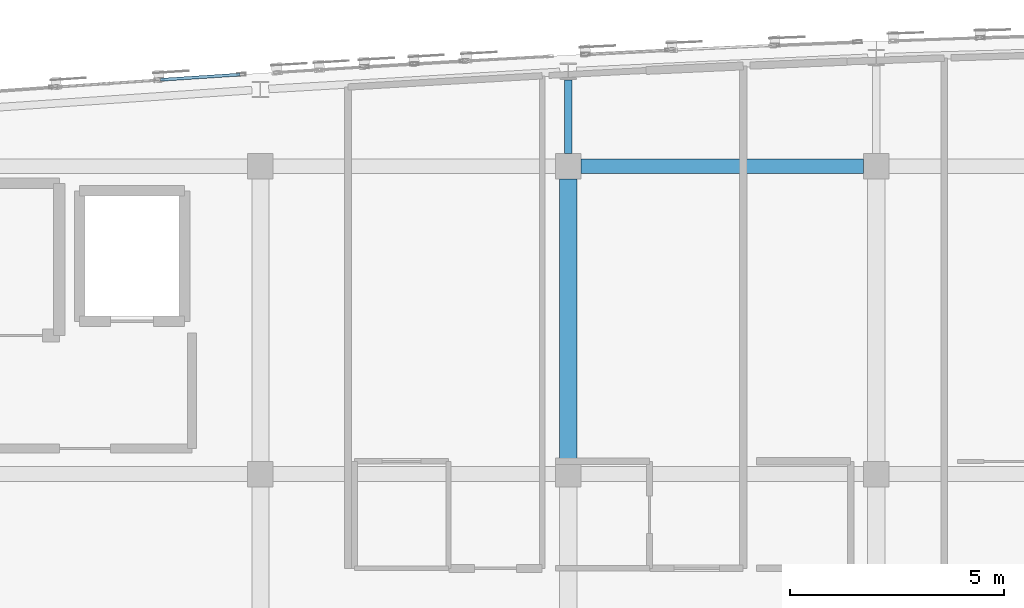
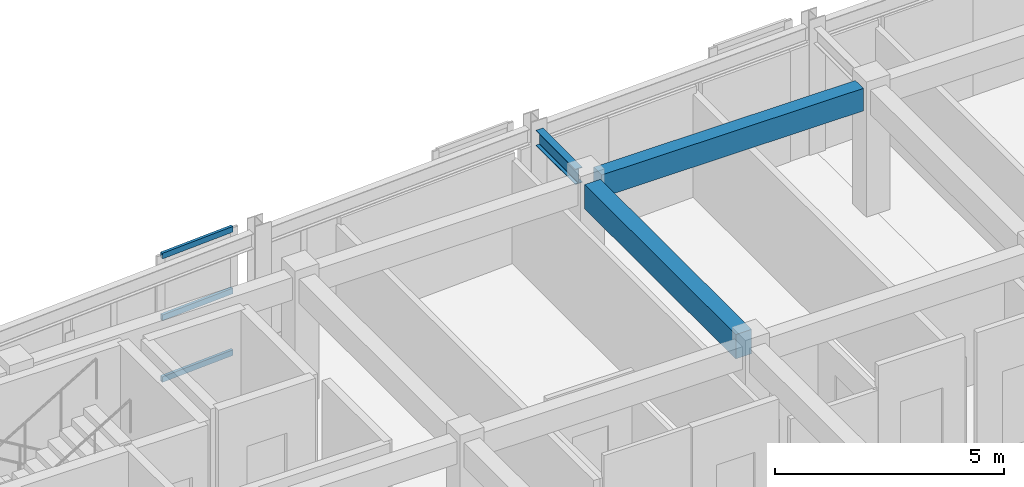
# One storey, part 12 of 45: 3 beams, 3 members, 1 element without a shape of its own.
"""IFC4 building model written with IfcOpenShell, lengths in metres."""

from ifc_helpers import new_model, si_unit, direction, frame, origin, origin_2d, place, context, subcontext, project, spatial, rectangle, hollow_rectangle, i_section, extrude, material, layer, layer_set, material_profile, profile_set, type_object, element, aggregate, save


model = new_model("IFC4")

# Units and contexts
model_context = context("Model", 3, precision=1e-05, world=origin(), true_north=direction((0.0, 1.0)))
body_context = subcontext(model_context, "Body", "Model", "MODEL_VIEW")
ifc_project = project(units=[si_unit("LENGTHUNIT", "METRE"), si_unit("AREAUNIT", "SQUARE_METRE"), si_unit("VOLUMEUNIT", "CUBIC_METRE"), si_unit("PLANEANGLEUNIT", "RADIAN"), si_unit("MASSUNIT", "GRAM", prefix="KILO")], contexts=[model_context])

# Site, building, storey
site_placement = place(None, origin())
site = spatial("IfcSite", under=ifc_project, at=site_placement, CompositionType="ELEMENT")
building_placement = place(site_placement, origin())
building = spatial("IfcBuilding", under=site, at=building_placement, Name="Carrowvane Square Congress Hotel", CompositionType="ELEMENT")
storey_placement = place(building_placement, frame((0.0, 0.0, 33.60009765625)))
storey = spatial("IfcBuildingStorey", under=building, at=storey_placement, Name="L08", CompositionType="ELEMENT", Elevation=33.60009765625)

# Beams
ifc_material_1 = material(Name="Concrete C35/45", Category="concrete")
ifc_material_profile_1 = material_profile(ifc_material_1, rectangle(XDim=0.35009765625, YDim=0.60009765625, at=origin_2d()), Name="RC 350x600")
ifc_profile_set_1 = profile_set([ifc_material_profile_1], Name="Concrete C35/45")
beam_type_1 = type_object("IfcBeamType", Name="BM-RC-350x600", PredefinedType="BEAM", material=ifc_profile_set_1)
beam_1_placement = place(storey_placement, frame((76.699951171875, 113.39990234375, 3.059814453125), z_axis=(1.0, 0.0, 0.0), x_axis=(0.0, 1.0, 0.0)))
element("IfcBeam", 1, at=beam_1_placement, inside=storey, type_object=beam_type_1, Name="L09 girder R/10-11", PredefinedType="BEAM", context=body_context, shape_type="SweptSolid", body=[
    extrude(rectangle(XDim=0.35009765625, YDim=0.60009765625, at=origin_2d()), origin(), (0.0, 0.0, 1.0), 6.60009765625),
])
ifc_material_2 = material(Name="Concrete C35/45", Category="concrete")
ifc_material_profile_2 = material_profile(ifc_material_2, rectangle(XDim=0.39990234375, YDim=0.64990234375, at=origin_2d()), Name="RC 400x650")
ifc_profile_set_2 = profile_set([ifc_material_profile_2], Name="Concrete C35/45")
beam_type_2 = type_object("IfcBeamType", Name="BM-RC-400x650", PredefinedType="BEAM", material=ifc_profile_set_2)
beam_2_placement = place(storey_placement, frame((76.39990234375, 106.5, 3.034912109375), z_axis=(0.0, 1.0, 0.0), x_axis=(-1.0, 0.0, 0.0)))
element("IfcBeam", 2, at=beam_2_placement, inside=storey, type_object=beam_type_2, Name="L09 girder 10/Q-R", PredefinedType="BEAM", context=body_context, shape_type="SweptSolid", body=[
    extrude(rectangle(XDim=0.39990234375, YDim=0.64990234375, at=origin_2d()), origin(), (0.0, 0.0, 1.0), 6.60009765625),
])
ifc_material_3 = material(Name="Steel S355", Category="steel")
ifc_material_profile_3 = material_profile(ifc_material_3, i_section(OverallWidth=0.1787109375, OverallDepth=0.409423828125, WebThickness=0.0087890625, FlangeThickness=0.014404296875, FilletRadius=0.01025390625, at=origin_2d()), Name="UKB 406x178x67")
ifc_profile_set_3 = profile_set([ifc_material_profile_3], Name="Steel S355")
beam_type_3 = type_object("IfcBeamType", Name="BM-ST-UKB406", PredefinedType="BEAM", material=ifc_profile_set_3)
beam_3_placement = place(storey_placement, frame((76.39990234375, 113.699951171875, 3.1552734375), z_axis=(0.0, 1.0, 0.0), x_axis=(-1.0, 0.0, 0.0)))
element("IfcBeam", 3, at=beam_3_placement, inside=storey, type_object=beam_type_3, Name="L09 radial north beam 10", PredefinedType="BEAM", context=body_context, shape_type="SweptSolid", body=[
    extrude(i_section(OverallWidth=0.1787109375, OverallDepth=0.409423828125, WebThickness=0.0087890625, FlangeThickness=0.014404296875, FilletRadius=0.01025390625, at=origin_2d()), origin(), (0.0, 0.0, 1.0), 1.72021484375),
])

# Curtain wall, members
ifc_material_4 = material(Name="Anodised aluminium", Category="aluminium")
ifc_layer = layer(ifc_material_4, 0.221923828125)
ifc_layer_set = layer_set([ifc_layer], Name="Anodised aluminium")
curtain_wall_type = type_object("IfcCurtainWallType", Name="CW-SYS-6", PredefinedType="NOTDEFINED", material=ifc_layer_set)
curtain_wall_placement = place(storey_placement, origin())
curtain_wall = element("IfcCurtainWall", 4, at=curtain_wall_placement, inside=storey, type_object=curtain_wall_type, Name="L08 unitised curtain wall 469", PredefinedType="NOTDEFINED")
ifc_material_5 = material(Name="Anodised aluminium", Category="aluminium")
ifc_material_profile_4 = material_profile(ifc_material_5, hollow_rectangle(XDim=0.070068359375, YDim=0.14990234375, WallThickness=0.0048828125, at=origin_2d()), Name="CW-TR 70x150x5")
ifc_profile_set_4 = profile_set([ifc_material_profile_4], Name="Anodised aluminium")
member_type = type_object("IfcMemberType", Name="CW-TRN-2", PredefinedType="USERDEFINED", material=ifc_profile_set_4)
member_1_placement = place(storey_placement, frame((66.869873046875, 115.421630859375, 0.034912109375), z_axis=(0.997860186588, 0.065383851382, 0.0), x_axis=(-0.065383851382, 0.997860186588, 0.0)))
member_1 = element("IfcMember", 5, at=member_1_placement, type_object=member_type, Name="CW-6 transom 1.1", ObjectType="TRANSOM", PredefinedType="USERDEFINED", context=body_context, shape_type="SweptSolid", body=[
    extrude(hollow_rectangle(XDim=0.070068359375, YDim=0.14990234375, WallThickness=0.0048828125, at=origin_2d()), origin(), (0.0, 0.0, 1.0), 1.855712890625),
])
member_2_placement = place(storey_placement, frame((66.869873046875, 115.421630859375, 1.679931640625), z_axis=(0.997860186588, 0.065383851382, 0.0), x_axis=(-0.065383851382, 0.997860186588, 0.0)))
member_2 = element("IfcMember", 6, at=member_2_placement, type_object=member_type, Name="CW-6 transom 1.2", ObjectType="TRANSOM", PredefinedType="USERDEFINED", context=body_context, shape_type="SweptSolid", body=[
    extrude(hollow_rectangle(XDim=0.070068359375, YDim=0.14990234375, WallThickness=0.0048828125, at=origin_2d()), origin(), (0.0, 0.0, 1.0), 1.855712890625),
])
member_3_placement = place(storey_placement, frame((66.869873046875, 115.421630859375, 3.324951171875), z_axis=(0.997860186588, 0.065383851382, 0.0), x_axis=(-0.065383851382, 0.997860186588, 0.0)))
member_3 = element("IfcMember", 7, at=member_3_placement, type_object=member_type, Name="CW-6 transom 1.3", ObjectType="TRANSOM", PredefinedType="USERDEFINED", context=body_context, shape_type="SweptSolid", body=[
    extrude(hollow_rectangle(XDim=0.070068359375, YDim=0.14990234375, WallThickness=0.0048828125, at=origin_2d()), origin(), (0.0, 0.0, 1.0), 1.855712890625),
])
aggregate(curtain_wall, [member_1, member_2, member_3])

save(model, "model.ifc")
